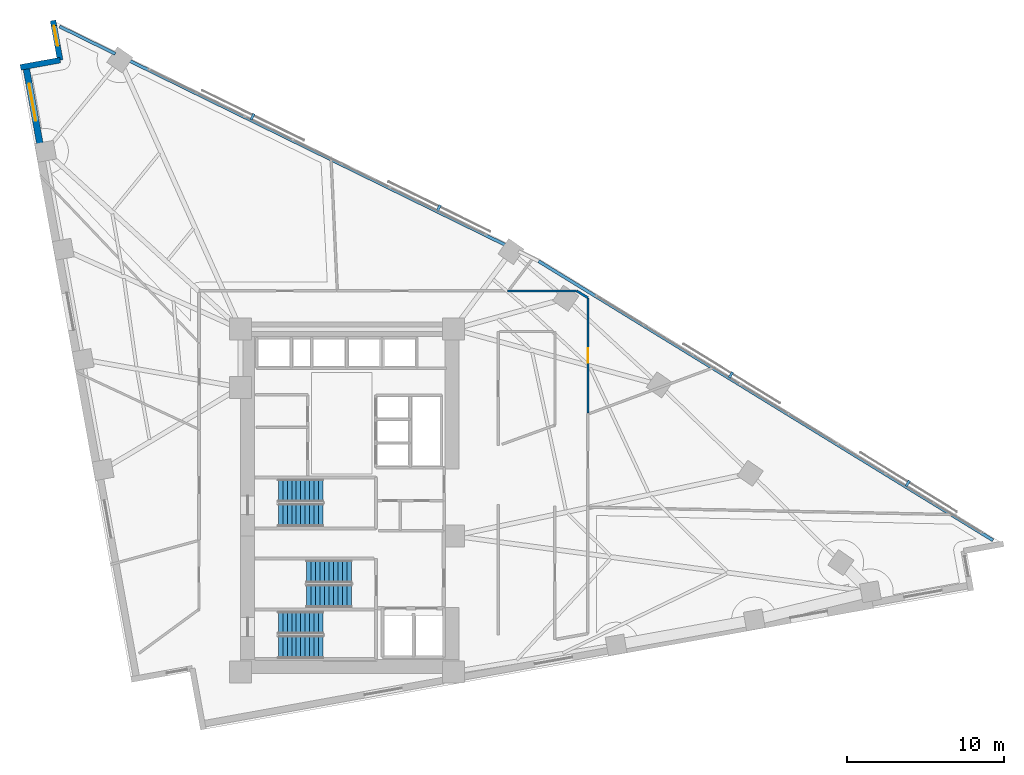
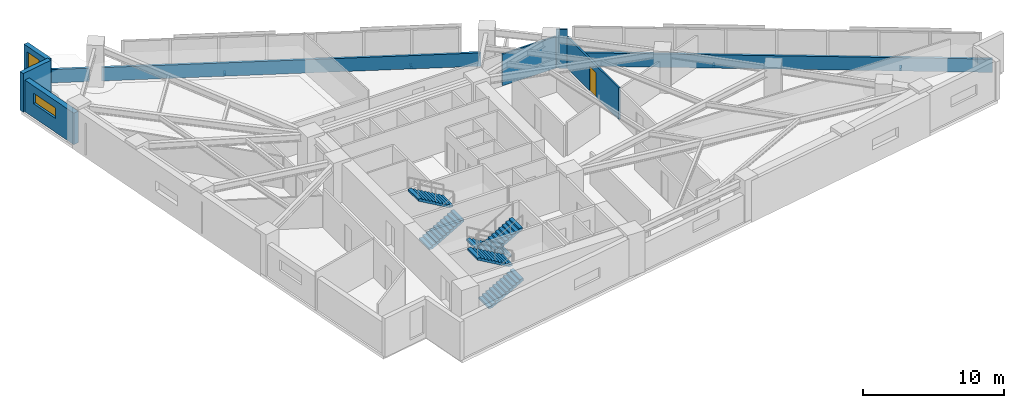
# One storey, part 16 of 18: 9 walls, 6 stair flights, 4 discrete accessories, 2 windows, 1 door, 3 openings, 3 elements without a shape of their own.
"""IFC4 building model written with IfcOpenShell, lengths in metres."""

from ifc_helpers import new_model, si_unit, direction, frame, frame_2d, origin, origin_2d, place, context, subcontext, project, spatial, polyline, rectangle, outline, extrude, material, layer, layer_set, type_object, element, fill, aggregate, save


model = new_model("IFC4")

# Units and contexts
model_context = context("Model", 3, precision=1e-05, world=origin(), true_north=direction((0.0, 1.0)))
body_context = subcontext(model_context, "Body", "Model", "MODEL_VIEW")
ifc_project = project(units=[si_unit("LENGTHUNIT", "METRE"), si_unit("AREAUNIT", "SQUARE_METRE"), si_unit("VOLUMEUNIT", "CUBIC_METRE"), si_unit("PLANEANGLEUNIT", "RADIAN"), si_unit("MASSUNIT", "GRAM", prefix="KILO")], contexts=[model_context])

# Site, building, storey
site_placement = place(None, origin())
site = spatial("IfcSite", under=ifc_project, at=site_placement, CompositionType="ELEMENT")
building_placement = place(site_placement, origin())
building = spatial("IfcBuilding", under=site, at=building_placement, Name="Narakoshi Arena Tower", CompositionType="ELEMENT")
storey_placement = place(building_placement, frame((0.0, 0.0, 106.5)))
storey = spatial("IfcBuildingStorey", under=building, at=storey_placement, Name="L28", CompositionType="ELEMENT", Elevation=106.5)

# Walls
ifc_material_1 = material(Name="Precast concrete C45/55", Category="concrete")
ifc_layer_1 = layer(ifc_material_1, 0.25)
ifc_layer_set_1 = layer_set([ifc_layer_1], Name="Precast concrete C45/55")
wall_type_1 = type_object("IfcWallType", Name="WL-PARA-250", PredefinedType="PARAPET", material=ifc_layer_set_1)
wall_1_placement = place(storey_placement, frame((119.86474609375, 43.0703125, 0.0), z_axis=(0.0, 0.0, 1.0), x_axis=(-0.852110824326, 0.52336138859, 0.0)))
element("IfcWall", 1, at=wall_1_placement, inside=storey, type_object=wall_type_1, Name="L28 Hypotenuse Sill Upstand Parapet 1-01", PredefinedType="PARAPET", context=body_context, shape_type="SweptSolid", body=[
    extrude(rectangle(XDim=33.931640625, YDim=0.199951171875, at=frame_2d((16.9658203125, 0.0))), origin(), (0.0, 0.0, 1.0), 1.14990234375),
])
wall_2_placement = place(storey_placement, frame((88.9208984375, 61.82275390625, 0.0), z_axis=(0.0, 0.0, 1.0), x_axis=(-0.897993533426, 0.440008652103, 0.0)))
element("IfcWall", 2, at=wall_2_placement, inside=storey, type_object=wall_type_1, Name="L28 Hypotenuse Sill Upstand Parapet 2-02", PredefinedType="PARAPET", context=body_context, shape_type="SweptSolid", body=[
    extrude(rectangle(XDim=26.86376953125, YDim=0.199951171875, at=frame_2d((13.431884765625, 0.0))), origin(), (0.0, 0.0, 1.0), 1.14990234375),
])
wall_3_placement = place(storey_placement, frame((64.031982421875, 74.01806640625, 0.0), z_axis=(0.0, 0.0, 1.0), x_axis=(-0.89799103332, 0.440013754417, 0.0)))
element("IfcWall", 3, at=wall_3_placement, inside=storey, type_object=wall_type_1, Name="L28 Hypotenuse Sill Upstand Parapet 2-03", PredefinedType="PARAPET", context=body_context, shape_type="SweptSolid", body=[
    extrude(rectangle(XDim=3.954833984375, YDim=0.199951171875, at=frame_2d((1.9775390625, 0.0))), origin(), (0.0, 0.0, 1.0), 1.14990234375),
])

# Wall, opening, window
ifc_layer_2 = layer(ifc_material_1, 0.419921875)
ifc_layer_set_2 = layer_set([ifc_layer_2], Name="Precast concrete C45/55")
wall_type_2 = type_object("IfcWallType", Name="WL-POD-420", PredefinedType="SOLIDWALL", material=ifc_layer_set_2)
wall_4_placement = place(storey_placement, frame((58.341796875, 73.2197265625, 0.0), z_axis=(0.0, 0.0, 1.0), x_axis=(0.177981837245, -0.984033772597, 0.0)))
wall_4 = element("IfcWall", 4, at=wall_4_placement, inside=storey, type_object=wall_type_2, Name="L28 Architectural Concrete Facade Wall LEGB-1", PredefinedType="SOLIDWALL", context=body_context, shape_type="SweptSolid", body=[
    extrude(rectangle(XDim=5.540283203125, YDim=0.419921875, at=frame_2d((2.77001953125, 0.0))), origin(), (0.0, 0.0, 1.0), 2.72509765625),
])
opening_1_placement = place(wall_4_placement, frame((1.11767578125, 0.0, 1.199951171875)))
opening_1 = element("IfcOpeningElement", 5, at=opening_1_placement, cuts=wall_4, Name="Opening WN-01", PredefinedType="OPENING", context=body_context, shape_type="SweptSolid", body=[
    extrude(rectangle(XDim=2.39990234375, YDim=0.89990234375, at=frame_2d((1.199951171875, 0.449951171875))), frame((0.0, 0.219970703125, 0.0), z_axis=(0.0, -1.0, 0.0), x_axis=(1.0, 0.0, 0.0)), (0.0, 0.0, 1.0), 0.43994140625),
])
ifc_material_2 = material(Name="Bronze-tinted low-E laminated glass", Category="glass")
window_type_1 = type_object("IfcWindowType", Name="WIN-SLT-24x09", PartitioningType="SINGLE_PANEL", PredefinedType="WINDOW", material=ifc_material_2)
window_1_placement = place(opening_1_placement, origin())
window_1 = element("IfcWindow", 6, at=window_1_placement, inside=storey, type_object=window_type_1, Name="L28 LEGB1 Horizontal Slot Window 1", OverallHeight=0.89990234375, OverallWidth=2.39990234375, PartitioningType="SINGLE_PANEL", PredefinedType="WINDOW", context=body_context, shape_type="SweptSolid", body=[
    extrude(rectangle(XDim=2.39990234375, YDim=0.89990234375, at=frame_2d((1.199951171875, 0.449951171875))), frame((0.0, 0.030029296875, 0.0), z_axis=(0.0, -1.0, 0.0), x_axis=(1.0, 0.0, 0.0)), (0.0, 0.0, 1.0), 0.06005859375),
])
fill(opening_1, window_1)

wall_5_placement = place(storey_placement, frame((60.066162109375, 76.139404296875, 0.0), z_axis=(0.0, 0.0, 1.0), x_axis=(0.177897493713, -0.984049024048, 0.0)))
wall_5 = element("IfcWall", 7, at=wall_5_placement, inside=storey, type_object=wall_type_2, Name="L28 Re-Entrant Corner Notch Wall NTN-1", PredefinedType="SOLIDWALL", context=body_context, shape_type="SweptSolid", body=[
    extrude(rectangle(XDim=2.56640625, YDim=0.360107421875, at=frame_2d((1.283203125, 0.0))), origin(), (0.0, 0.0, 1.0), 3.340087890625),
])
opening_2_placement = place(wall_5_placement, frame((0.340087890625, 0.0, 0.449951171875)))
opening_2 = element("IfcOpeningElement", 8, at=opening_2_placement, cuts=wall_5, Name="Opening WN-06", PredefinedType="OPENING", context=body_context, shape_type="SweptSolid", body=[
    extrude(rectangle(XDim=1.300048828125, YDim=2.39990234375, at=frame_2d((0.64990234375, 1.199951171875))), frame((0.0, 0.18994140625, 0.0), z_axis=(0.0, -1.0, 0.0), x_axis=(1.0, 0.0, 0.0)), (0.0, 0.0, 1.0), 0.380126953125),
])
window_type_2 = type_object("IfcWindowType", Name="WIN-NTC-16x24", PartitioningType="SINGLE_PANEL", PredefinedType="WINDOW", material=ifc_material_2)
window_2_placement = place(opening_2_placement, origin())
window_2 = element("IfcWindow", 9, at=window_2_placement, inside=storey, type_object=window_type_2, Name="L28 Corner Notch Window NTN", OverallHeight=2.39990234375, OverallWidth=1.300048828125, PartitioningType="SINGLE_PANEL", PredefinedType="WINDOW", context=body_context, shape_type="SweptSolid", body=[
    extrude(rectangle(XDim=1.300048828125, YDim=2.39990234375, at=frame_2d((0.64990234375, 1.199951171875))), frame((0.0, 0.030029296875, 0.0), z_axis=(0.0, -1.0, 0.0), x_axis=(1.0, 0.0, 0.0)), (0.0, 0.0, 1.0), 0.06005859375),
])
fill(opening_2, window_2)

# Wall
wall_6_placement = place(storey_placement, frame((60.522705078125, 73.614013671875, 0.0), z_axis=(0.0, 0.0, 1.0), x_axis=(-0.984046012923, -0.177914149102, 0.0)))
element("IfcWall", 10, at=wall_6_placement, inside=storey, type_object=wall_type_2, Name="L28 Re-Entrant Corner Notch Wall NTN-2", PredefinedType="SOLIDWALL", context=body_context, shape_type="SweptSolid", body=[
    extrude(rectangle(XDim=2.566162109375, YDim=0.360107421875, at=frame_2d((1.283203125, 0.0))), origin(), (0.0, 0.0, 1.0), 3.340087890625),
])

# Wall, opening, door
ifc_material_3 = material(Name="Moisture-resistant cement-board partition")
ifc_layer_3 = layer(ifc_material_3, 0.14501953125)
ifc_layer_set_3 = layer_set([ifc_layer_3], Name="Moisture-resistant cement-board partition")
wall_type_3 = type_object("IfcWallType", Name="WL-WET-145", PredefinedType="PARTITIONING", material=ifc_layer_set_3)
wall_7_placement = place(storey_placement, frame((94.09619140625, 51.15673828125, 0.0), z_axis=(0.0, 0.0, 1.0), x_axis=(0.0, 1.0, 0.0)))
wall_7 = element("IfcWall", 11, at=wall_7_placement, inside=storey, type_object=wall_type_3, Name="L28 Corridor Partition 04-1", PredefinedType="PARTITIONING", context=body_context, shape_type="SweptSolid", body=[
    extrude(rectangle(XDim=7.34130859375, YDim=0.14501953125, at=frame_2d((3.670654296875, 0.0))), origin(), (0.0, 0.0, 1.0), 2.72509765625),
])
opening_3_placement = place(wall_7_placement, frame((3.220703125, 0.0, 0.0)))
opening_3 = element("IfcOpeningElement", 12, at=opening_3_placement, cuts=wall_7, Name="Opening D-08", PredefinedType="OPENING", context=body_context, shape_type="SweptSolid", body=[
    extrude(rectangle(XDim=0.89990234375, YDim=2.10009765625, at=frame_2d((0.449951171875, 1.050048828125))), frame((0.0, 0.08251953125, 0.0), z_axis=(0.0, -1.0, 0.0), x_axis=(1.0, 0.0, 0.0)), (0.0, 0.0, 1.0), 0.1650390625),
])
ifc_material_4 = material(Name="Moisture-resistant laminate timber", Category="wood")
door_type = type_object("IfcDoorType", Name="DR-WC-900", OperationType="NOTDEFINED", PredefinedType="DOOR", material=ifc_material_4)
door_placement = place(opening_3_placement, frame((0.89990234375, 0.0, 0.0), z_axis=(0.0, 0.0, 1.0), x_axis=(-1.0, 0.0, 0.0)))
door = element("IfcDoor", 13, at=door_placement, inside=storey, type_object=door_type, Name="DR-L28-018", OperationType="SINGLE_SWING_LEFT", OverallHeight=2.10009765625, OverallWidth=0.89990234375, PredefinedType="DOOR", context=body_context, shape_type="SweptSolid", body=[
    extrude(rectangle(XDim=0.89990234375, YDim=2.10009765625, at=frame_2d((0.449951171875, 1.050048828125))), frame((0.0, 0.02490234375, 0.0), z_axis=(0.0, -1.0, 0.0), x_axis=(1.0, 0.0, 0.0)), (0.0, 0.0, 1.0), 0.050048828125),
])
fill(opening_3, door)

# Walls
wall_8_placement = place(storey_placement, frame((93.381591796875, 58.93701171875, 0.0), z_axis=(0.0, 0.0, 1.0), x_axis=(-1.0, 0.0, 0.0)))
element("IfcWall", 14, at=wall_8_placement, inside=storey, type_object=wall_type_3, Name="L28 Corridor Partition 04-2", PredefinedType="PARTITIONING", context=body_context, shape_type="SweptSolid", body=[
    extrude(rectangle(XDim=4.387939453125, YDim=0.14501953125, at=frame_2d((2.19384765625, 0.0))), origin(), (0.0, 0.0, 1.0), 2.72509765625),
])
wall_9_placement = place(storey_placement, frame((94.09619140625, 58.498046875, 0.0), z_axis=(0.0, 0.0, 1.0), x_axis=(-0.852077841053, 0.52341508651, 0.0)))
element("IfcWall", 15, at=wall_9_placement, inside=storey, type_object=wall_type_3, Name="L28 Corridor Partition 04-3", PredefinedType="PARTITIONING", context=body_context, shape_type="SweptSolid", body=[
    extrude(rectangle(XDim=0.838623046875, YDim=0.14501953125, at=frame_2d((0.41943359375, 0.0))), origin(), (0.0, 0.0, 1.0), 3.340087890625),
])

# Stair, stair flights
ifc_material_5 = material(Name="Concrete C45/55", Category="concrete")
stair_type = type_object("IfcStairType", Name="STR-CORE-360", PredefinedType="TWO_STRAIGHT_RUN_STAIR", material=ifc_material_5)
stair_1_placement = place(storey_placement, origin())
stair_1 = element("IfcStair", 16, at=stair_1_placement, inside=storey, type_object=stair_type, Name="L28 Core Escape Stair ST1", PredefinedType="TWO_STRAIGHT_RUN_STAIR")
stair_flight_type = type_object("IfcStairFlightType", Name="FLT-145-160", PredefinedType="STRAIGHT", material=ifc_material_1)
stair_flight_1_placement = place(storey_placement, frame((74.39990234375, 36.27490234375, 0.0), z_axis=(0.0, 0.0, 1.0), x_axis=(1.0, 0.0, 0.0)))
stair_flight_1 = element("IfcStairFlight", 17, at=stair_flight_1_placement, type_object=stair_flight_type, Name="ST1 flight 1", NumberOfRisers=11, NumberOfTreads=10, PredefinedType="STRAIGHT", RiserHeight=0.163636364, TreadLength=0.285, context=body_context, shape_type="SweptSolid", body=[
    extrude(outline(polyline([(0.0, 0.0), (0.0, 0.16357421875), (0.284912109375, 0.16357421875), (0.284912109375, 0.327392578125), (0.570068359375, 0.327392578125), (0.570068359375, 0.490966796875), (0.85498046875, 0.490966796875), (0.85498046875, 0.654541015625), (1.139892578125, 0.654541015625), (1.139892578125, 0.818115234375), (1.425048828125, 0.818115234375), (1.425048828125, 0.98193359375), (1.7099609375, 0.98193359375), (1.7099609375, 1.1455078125), (1.9951171875, 1.1455078125), (1.9951171875, 1.30908203125), (2.280029296875, 1.30908203125), (2.280029296875, 1.47265625), (2.56494140625, 1.47265625), (2.56494140625, 1.636474609375), (2.85009765625, 1.636474609375), (2.85009765625, 1.800048828125), (2.85009765625, 1.463623046875), (0.301025390625, 0.0), (0.0, 0.0)])), frame((0.0, 0.72509765625, 0.0), z_axis=(0.0, -1.0, 0.0), x_axis=(1.0, 0.0, 0.0)), (0.0, 0.0, 1.0), 1.449951171875),
])
stair_flight_2_placement = place(storey_placement, frame((77.25, 37.824951171875, 1.800048828125), z_axis=(0.0, 0.0, 1.0), x_axis=(-1.0, 0.0, 0.0)))
stair_flight_2 = element("IfcStairFlight", 18, at=stair_flight_2_placement, type_object=stair_flight_type, Name="ST1 flight 2", NumberOfRisers=11, NumberOfTreads=10, PredefinedType="STRAIGHT", RiserHeight=0.163636364, TreadLength=0.285, context=body_context, shape_type="SweptSolid", body=[
    extrude(outline(polyline([(0.0, 0.0), (0.0, 0.16357421875), (0.284912109375, 0.16357421875), (0.284912109375, 0.327392578125), (0.570068359375, 0.327392578125), (0.570068359375, 0.490966796875), (0.85498046875, 0.490966796875), (0.85498046875, 0.654541015625), (1.139892578125, 0.654541015625), (1.139892578125, 0.818115234375), (1.425048828125, 0.818115234375), (1.425048828125, 0.98193359375), (1.7099609375, 0.98193359375), (1.7099609375, 1.1455078125), (1.9951171875, 1.1455078125), (1.9951171875, 1.30908203125), (2.280029296875, 1.30908203125), (2.280029296875, 1.47265625), (2.56494140625, 1.47265625), (2.56494140625, 1.636474609375), (2.85009765625, 1.636474609375), (2.85009765625, 1.800048828125), (2.85009765625, 1.463623046875), (0.301025390625, 0.0), (0.0, 0.0)])), frame((0.0, 0.72509765625, 0.0), z_axis=(0.0, -1.0, 0.0), x_axis=(1.0, 0.0, 0.0)), (0.0, 0.0, 1.0), 1.449951171875),
])
aggregate(stair_1, [stair_flight_1, stair_flight_2])

stair_2_placement = place(storey_placement, origin())
stair_2 = element("IfcStair", 19, at=stair_2_placement, inside=storey, type_object=stair_type, Name="L28 Core Escape Stair ST2", PredefinedType="TWO_STRAIGHT_RUN_STAIR")
stair_flight_3_placement = place(storey_placement, frame((79.050048828125, 41.074951171875, 0.0), z_axis=(0.0, 0.0, 1.0), x_axis=(-1.0, 0.0, 0.0)))
stair_flight_3 = element("IfcStairFlight", 20, at=stair_flight_3_placement, type_object=stair_flight_type, Name="ST2 flight 1", NumberOfRisers=11, NumberOfTreads=10, PredefinedType="STRAIGHT", RiserHeight=0.163636364, TreadLength=0.285, context=body_context, shape_type="SweptSolid", body=[
    extrude(outline(polyline([(0.0, 0.0), (0.0, 0.16357421875), (0.284912109375, 0.16357421875), (0.284912109375, 0.327392578125), (0.570068359375, 0.327392578125), (0.570068359375, 0.490966796875), (0.85498046875, 0.490966796875), (0.85498046875, 0.654541015625), (1.139892578125, 0.654541015625), (1.139892578125, 0.818115234375), (1.425048828125, 0.818115234375), (1.425048828125, 0.98193359375), (1.7099609375, 0.98193359375), (1.7099609375, 1.1455078125), (1.9951171875, 1.1455078125), (1.9951171875, 1.30908203125), (2.280029296875, 1.30908203125), (2.280029296875, 1.47265625), (2.56494140625, 1.47265625), (2.56494140625, 1.636474609375), (2.85009765625, 1.636474609375), (2.85009765625, 1.800048828125), (2.85009765625, 1.463623046875), (0.301025390625, 0.0), (0.0, 0.0)])), frame((0.0, 0.72509765625, 0.0), z_axis=(0.0, -1.0, 0.0), x_axis=(1.0, 0.0, 0.0)), (0.0, 0.0, 1.0), 1.449951171875),
])
stair_flight_4_placement = place(storey_placement, frame((76.199951171875, 39.52490234375, 1.800048828125), z_axis=(0.0, 0.0, 1.0), x_axis=(1.0, 0.0, 0.0)))
stair_flight_4 = element("IfcStairFlight", 21, at=stair_flight_4_placement, type_object=stair_flight_type, Name="ST2 flight 2", NumberOfRisers=11, NumberOfTreads=10, PredefinedType="STRAIGHT", RiserHeight=0.163636364, TreadLength=0.285, context=body_context, shape_type="SweptSolid", body=[
    extrude(outline(polyline([(0.0, 0.0), (0.0, 0.16357421875), (0.284912109375, 0.16357421875), (0.284912109375, 0.327392578125), (0.570068359375, 0.327392578125), (0.570068359375, 0.490966796875), (0.85498046875, 0.490966796875), (0.85498046875, 0.654541015625), (1.139892578125, 0.654541015625), (1.139892578125, 0.818115234375), (1.425048828125, 0.818115234375), (1.425048828125, 0.98193359375), (1.7099609375, 0.98193359375), (1.7099609375, 1.1455078125), (1.9951171875, 1.1455078125), (1.9951171875, 1.30908203125), (2.280029296875, 1.30908203125), (2.280029296875, 1.47265625), (2.56494140625, 1.47265625), (2.56494140625, 1.636474609375), (2.85009765625, 1.636474609375), (2.85009765625, 1.800048828125), (2.85009765625, 1.463623046875), (0.301025390625, 0.0), (0.0, 0.0)])), frame((0.0, 0.72509765625, 0.0), z_axis=(0.0, -1.0, 0.0), x_axis=(1.0, 0.0, 0.0)), (0.0, 0.0, 1.0), 1.449951171875),
])
aggregate(stair_2, [stair_flight_3, stair_flight_4])

stair_3_placement = place(storey_placement, origin())
stair_3 = element("IfcStair", 22, at=stair_3_placement, inside=storey, type_object=stair_type, Name="L28 Core Escape Stair ST3", PredefinedType="TWO_STRAIGHT_RUN_STAIR")
stair_flight_5_placement = place(storey_placement, frame((74.39990234375, 44.675048828125, 0.0), z_axis=(0.0, 0.0, 1.0), x_axis=(1.0, 0.0, 0.0)))
stair_flight_5 = element("IfcStairFlight", 23, at=stair_flight_5_placement, type_object=stair_flight_type, Name="ST3 flight 1", NumberOfRisers=11, NumberOfTreads=10, PredefinedType="STRAIGHT", RiserHeight=0.163636364, TreadLength=0.285, context=body_context, shape_type="SweptSolid", body=[
    extrude(outline(polyline([(0.0, 0.0), (0.0, 0.16357421875), (0.284912109375, 0.16357421875), (0.284912109375, 0.327392578125), (0.570068359375, 0.327392578125), (0.570068359375, 0.490966796875), (0.85498046875, 0.490966796875), (0.85498046875, 0.654541015625), (1.139892578125, 0.654541015625), (1.139892578125, 0.818115234375), (1.425048828125, 0.818115234375), (1.425048828125, 0.98193359375), (1.7099609375, 0.98193359375), (1.7099609375, 1.1455078125), (1.9951171875, 1.1455078125), (1.9951171875, 1.30908203125), (2.280029296875, 1.30908203125), (2.280029296875, 1.47265625), (2.56494140625, 1.47265625), (2.56494140625, 1.636474609375), (2.85009765625, 1.636474609375), (2.85009765625, 1.800048828125), (2.85009765625, 1.463623046875), (0.301025390625, 0.0), (0.0, 0.0)])), frame((0.0, 0.72509765625, 0.0), z_axis=(0.0, -1.0, 0.0), x_axis=(1.0, 0.0, 0.0)), (0.0, 0.0, 1.0), 1.449951171875),
])
stair_flight_6_placement = place(storey_placement, frame((77.25, 46.22509765625, 1.800048828125), z_axis=(0.0, 0.0, 1.0), x_axis=(-1.0, 0.0, 0.0)))
stair_flight_6 = element("IfcStairFlight", 24, at=stair_flight_6_placement, type_object=stair_flight_type, Name="ST3 flight 2", NumberOfRisers=11, NumberOfTreads=10, PredefinedType="STRAIGHT", RiserHeight=0.163636364, TreadLength=0.285, context=body_context, shape_type="SweptSolid", body=[
    extrude(outline(polyline([(0.0, 0.0), (0.0, 0.16357421875), (0.284912109375, 0.16357421875), (0.284912109375, 0.327392578125), (0.570068359375, 0.327392578125), (0.570068359375, 0.490966796875), (0.85498046875, 0.490966796875), (0.85498046875, 0.654541015625), (1.139892578125, 0.654541015625), (1.139892578125, 0.818115234375), (1.425048828125, 0.818115234375), (1.425048828125, 0.98193359375), (1.7099609375, 0.98193359375), (1.7099609375, 1.1455078125), (1.9951171875, 1.1455078125), (1.9951171875, 1.30908203125), (2.280029296875, 1.30908203125), (2.280029296875, 1.47265625), (2.56494140625, 1.47265625), (2.56494140625, 1.636474609375), (2.85009765625, 1.636474609375), (2.85009765625, 1.800048828125), (2.85009765625, 1.463623046875), (0.301025390625, 0.0), (0.0, 0.0)])), frame((0.0, 0.72509765625, 0.0), z_axis=(0.0, -1.0, 0.0), x_axis=(1.0, 0.0, 0.0)), (0.0, 0.0, 1.0), 1.449951171875),
])
aggregate(stair_3, [stair_flight_5, stair_flight_6])

# Discrete accessories
ifc_material_6 = material(Name="Structural steel S355J2", Category="steel")
discrete_accessory_type = type_object("IfcDiscreteAccessoryType", Name="ACC-BRK-SCR", PredefinedType="BRACKET", material=ifc_material_6)
for number, where, z_axis, x_axis, name in (
    (25, (114.442138671875, 46.6826171875, -0.080078125), (0.0, 0.0, 1.0), (-0.852110807003, 0.523361416794, 0.0), "L28 Solar Screen Support Bracket SHD-L28-SCR1-1"),
    (26, (103.1943359375, 53.5908203125, -0.080078125), (0.0, 0.0, 1.0), (-0.852110807003, 0.523361416794, 0.0), "L28 Solar Screen Support Bracket SHD-L28-SCR1-2"),
    (27, (84.6044921875, 64.205078125, -0.080078125), (0.0, 0.0, 1.0), (-0.897996860024, 0.440001862936, 0.0), "L28 Solar Screen Support Bracket SHD-L28-SCR2-1"),
    (28, (72.7509765625, 70.01318359375, -0.080078125), (0.0, 0.0, 1.0), (-0.897996860024, 0.440001862936, 0.0), "L28 Solar Screen Support Bracket SHD-L28-SCR2-2"),
):
    element("IfcDiscreteAccessory", number, at=place(storey_placement, frame(where, z_axis=z_axis, x_axis=x_axis)), inside=storey, type_object=discrete_accessory_type, Name=name, PredefinedType="BRACKET", context=body_context, shape_type="SweptSolid", body=[
        extrude(rectangle(XDim=0.159912109375, YDim=0.425048828125, at=origin_2d()), origin(), (0.0, 0.0, 1.0), 0.199951171875),
    ])

save(model, "model.ifc")
